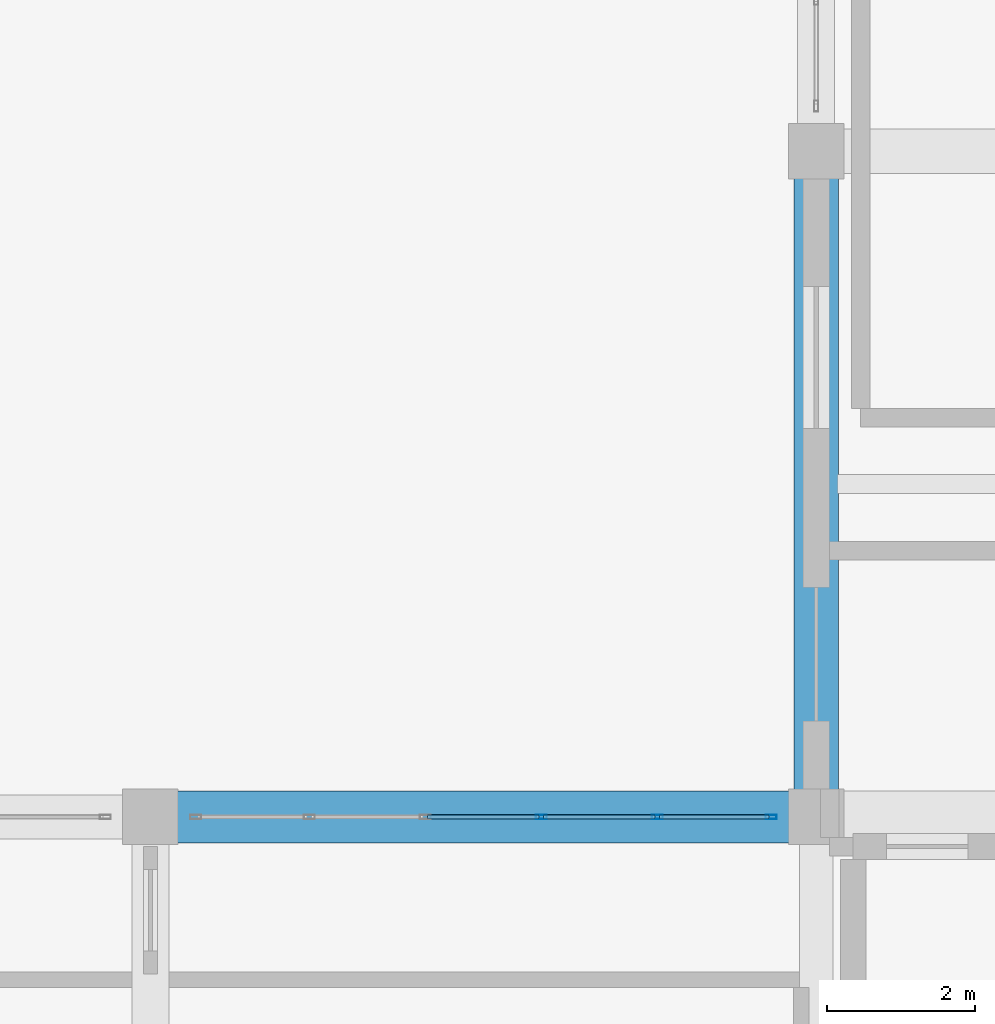
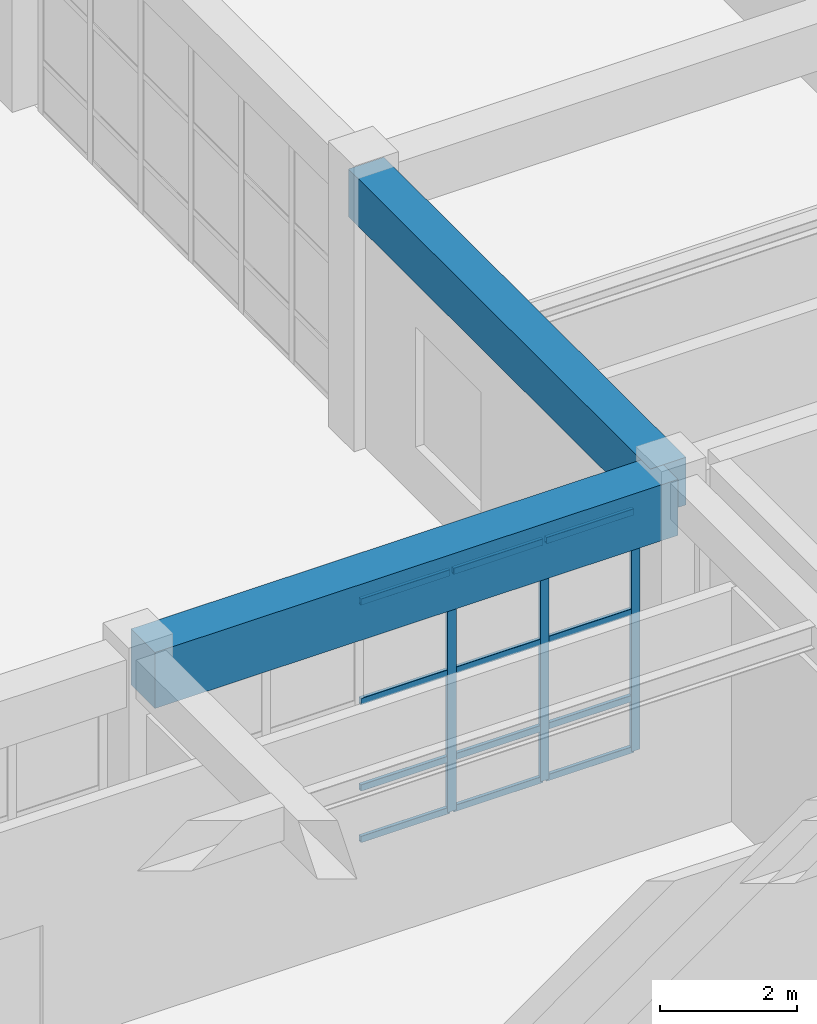
# One storey, part 32 of 128: 15 members, 2 beams, 1 element without a shape of its own.
"""IFC4 building model written with IfcOpenShell, lengths in metres."""

import ifcopenshell
import ifcopenshell.guid

model = None  # the IFC model being written
_history = None  # IfcOwnerHistory: only IFC2X3 demands one
_inside = {}  # id of a spatial element -> (the spatial element, [elements in it])
_under = {}  # id of a project, library or spatial element -> (it, [spatial elements below it])
_declared = {}  # id of a project -> (the project, [libraries it declares])
_typed = {}  # id of a type object -> (the type object, [elements of that type])
_made_of = {}  # id of a material, layer set ... -> (it, [elements and type objects made of it])


def new_model(schema):
    """Start an empty IFC model of exactly this schema.

    Asked for "IFC4X3", IfcOpenShell would pick the latest addendum, in which some entities
    have other attributes; the version numbers below select the first issue.
    IFC2X3 requires an IfcOwnerHistory on every rooted entity: one is made here for all.
    """
    global model, _history
    if schema == "IFC4X3":
        model = ifcopenshell.file(schema_version=(4, 3, 0, 0))
    else:
        model = ifcopenshell.file(schema=schema)
    _inside.clear()
    _under.clear()
    _declared.clear()
    _typed.clear()
    _made_of.clear()
    _history = None
    if model.schema == "IFC2X3":
        org = make("IfcOrganization", Name="unknown")
        user = make(
            "IfcPersonAndOrganization",
            ThePerson=make("IfcPerson", FamilyName="unknown"),
            TheOrganization=org,
        )
        app = make(
            "IfcApplication",
            ApplicationDeveloper=org,
            Version="unknown",
            ApplicationFullName="unknown",
            ApplicationIdentifier="unknown",
        )
        _history = make(
            "IfcOwnerHistory",
            OwningUser=user,
            OwningApplication=app,
            ChangeAction="ADDED",
            CreationDate=0,
        )
    return model


def make(cls, **values):
    """One entity of the class cls with the attributes given. An attribute that is None is left unset."""
    return model.create_entity(
        cls, **{name: value for name, value in values.items() if value is not None}
    )


def rooted(cls, **values):
    """An entity with a GlobalId (a new one), such as an element, a storey or a relation."""
    return make(cls, GlobalId=ifcopenshell.guid.new(), OwnerHistory=_history, **values)


def si_unit(unit_type, name, prefix=None):
    """IfcSIUnit, for example si_unit("LENGTHUNIT", "METRE", prefix="MILLI")."""
    return make("IfcSIUnit", UnitType=unit_type, Prefix=prefix, Name=name)


def assignment(units):
    """IfcUnitAssignment: the units of a project."""
    return None if units is None else make("IfcUnitAssignment", Units=units)


def point(xyz):
    """IfcCartesianPoint."""
    return None if xyz is None else make("IfcCartesianPoint", Coordinates=xyz)


def direction(xyz):
    """IfcDirection."""
    return None if xyz is None else make("IfcDirection", DirectionRatios=xyz)


def frame(location, z_axis=None, x_axis=None):
    """IfcAxis2Placement3D, a coordinate frame: its origin and axes. An axis left out is left unset."""
    return make(
        "IfcAxis2Placement3D",
        Location=point(location),
        Axis=direction(z_axis),
        RefDirection=direction(x_axis),
    )


def frame_2d(location, x_axis=None):
    """IfcAxis2Placement2D, a coordinate frame in the plane: its origin and x axis."""
    return make(
        "IfcAxis2Placement2D", Location=point(location), RefDirection=direction(x_axis)
    )


def origin():
    """The frame at (0, 0, 0) with its axes left unset."""
    return frame((0.0, 0.0, 0.0))


def origin_2d():
    """The frame at (0, 0) in the plane with its x axis left unset."""
    return frame_2d((0.0, 0.0))


def place(relative_to, where):
    """IfcLocalPlacement: puts the frame where relative to a parent placement (None: the world)."""
    return make(
        "IfcLocalPlacement", PlacementRelTo=relative_to, RelativePlacement=where
    )


def context(
    kind, dimensions, precision=None, world=None, true_north=None, identifier=None
):
    """IfcGeometricRepresentationContext, for example the 3D "Model" context."""
    return make(
        "IfcGeometricRepresentationContext",
        ContextIdentifier=identifier,
        ContextType=kind,
        CoordinateSpaceDimension=dimensions,
        Precision=precision,
        WorldCoordinateSystem=world,
        TrueNorth=true_north,
    )


def subcontext(parent, identifier, kind, view, scale=None):
    """IfcGeometricRepresentationSubContext, for example "Body" below "Model"."""
    return make(
        "IfcGeometricRepresentationSubContext",
        ContextIdentifier=identifier,
        ContextType=kind,
        ParentContext=parent,
        TargetScale=scale,
        TargetView=view,
    )


def project(units=None, contexts=None):
    """IfcProject with its units and contexts."""
    return rooted(
        "IfcProject",
        Name="project",
        RepresentationContexts=contexts,
        UnitsInContext=assignment(units),
    )


def spatial(cls, under=None, at=None, **own):
    """A site, building, storey or space (cls), placed at a placement, below another one or the project."""
    s = rooted(cls, ObjectPlacement=at, **own)
    if under is not None:
        _under.setdefault(under.id(), (under, []))[1].append(s)
    return s


def profile(cls, at=None, kind="AREA", **sizes):
    """A parametric profile (cls). Its sizes go by their IFC names, for example OverallWidth=200.0."""
    return make(cls, ProfileType=kind, Position=at, **sizes)


def rectangle(**sizes):
    """IfcRectangleProfileDef."""
    return profile("IfcRectangleProfileDef", **sizes)


def hollow_rectangle(**sizes):
    """IfcRectangleHollowProfileDef."""
    return profile("IfcRectangleHollowProfileDef", **sizes)


def extrude(swept, where, along, depth):
    """IfcExtrudedAreaSolid: the profile swept, set in the frame where, extruded along a direction by depth."""
    return make(
        "IfcExtrudedAreaSolid",
        SweptArea=swept,
        Position=where,
        ExtrudedDirection=direction(along),
        Depth=depth,
    )


def shape(context_of_items, identifier, shape_type, items):
    """IfcShapeRepresentation: the items that make up one representation, for example the "Body"."""
    return make(
        "IfcShapeRepresentation",
        ContextOfItems=context_of_items,
        RepresentationIdentifier=identifier,
        RepresentationType=shape_type,
        Items=items,
    )


def material(Name=None, Category=None):
    """IfcMaterial."""
    return make("IfcMaterial", Name=Name, Category=Category)


def material_profile(
    of_material, cross_section, Name=None, Category=None, Priority=None
):
    """IfcMaterialProfile: a cross section and its material."""
    return make(
        "IfcMaterialProfile",
        Name=Name,
        Material=of_material,
        Profile=cross_section,
        Priority=Priority,
        Category=Category,
    )


def profile_set(profiles, Name=None, composite=None):
    """IfcMaterialProfileSet."""
    return make(
        "IfcMaterialProfileSet",
        Name=Name,
        MaterialProfiles=profiles,
        CompositeProfile=composite,
    )


def made_of(thing, what):
    """Note that an element or type object is made of a material, layer set ...; save() writes the relation."""
    if what is not None:
        _made_of.setdefault(what.id(), (what, []))[1].append(thing)
    return thing


def type_object(cls, material=None, **own):
    """A type object (cls), such as IfcWallType, which elements share."""
    return made_of(rooted(cls, **own), material)


def element(
    cls,
    number,
    at=None,
    inside=None,
    cuts=None,
    type_object=None,
    material=None,
    context=None,
    identifier="Body",
    shape_type=None,
    held_by="IfcProductDefinitionShape",
    body=None,
    shapes=None,
    **own,
):
    """One element of the class cls, such as IfcWall. Its Tag is "e" and its number.

    at: its placement. inside: the storey or other place that contains it. cuts: it is an
    opening in that element (IfcRelVoidsElement). A single representation is given by context,
    identifier, shape_type and body (its items); several are given by shapes. held_by: the class
    of the entity that holds the representations. save() writes the other relations.
    """
    e = rooted(cls, Tag="e%d" % number, ObjectPlacement=at, **own)
    if body is not None:
        shapes = [shape(context, identifier, shape_type, body)]
    if shapes is not None:
        e.Representation = make(held_by, Representations=shapes)
    if inside is not None:
        _inside.setdefault(inside.id(), (inside, []))[1].append(e)
    if cuts is not None:
        rooted(
            "IfcRelVoidsElement", RelatingBuildingElement=cuts, RelatedOpeningElement=e
        )
    if type_object is not None:
        _typed.setdefault(type_object.id(), (type_object, []))[1].append(e)
    return made_of(e, material)


def aggregate(whole, parts):
    """IfcRelAggregates: a whole, such as a stair, and the parts it consists of."""
    return rooted("IfcRelAggregates", RelatingObject=whole, RelatedObjects=parts)


def save(model, path):
    """Write the relations noted so far, then the file.

    IfcRelAggregates (storeys below a building ...), IfcRelContainedInSpatialStructure (elements
    in a storey), IfcRelDefinesByType, IfcRelAssociatesMaterial and IfcRelDeclares: one each for
    every whole, place, type object, material and project.
    """
    for whole, parts in _under.values():
        aggregate(whole, parts)
    for where, things in _inside.values():
        rooted(
            "IfcRelContainedInSpatialStructure",
            RelatedElements=things,
            RelatingStructure=where,
        )
    for kind, things in _typed.values():
        rooted("IfcRelDefinesByType", RelatedObjects=things, RelatingType=kind)
    for what, things in _made_of.values():
        rooted("IfcRelAssociatesMaterial", RelatedObjects=things, RelatingMaterial=what)
    for by, libraries in _declared.values():
        rooted("IfcRelDeclares", RelatingContext=by, RelatedDefinitions=libraries)
    model.write(path)


model = new_model("IFC4")

# Units and contexts
model_context = context("Model", 3, precision=1e-05, world=origin(), true_north=direction((0.0, 1.0)))
body_context = subcontext(model_context, "Body", "Model", "MODEL_VIEW")
ifc_project = project(units=[si_unit("LENGTHUNIT", "METRE"), si_unit("AREAUNIT", "SQUARE_METRE"), si_unit("VOLUMEUNIT", "CUBIC_METRE"), si_unit("PLANEANGLEUNIT", "RADIAN"), si_unit("MASSUNIT", "GRAM", prefix="KILO")], contexts=[model_context])

# Site, building, storey
site_placement = place(None, origin())
site = spatial("IfcSite", under=ifc_project, at=site_placement, CompositionType="ELEMENT")
building_placement = place(site_placement, origin())
building = spatial("IfcBuilding", under=site, at=building_placement, Name="Miravela Opera House", CompositionType="ELEMENT")
storey_placement = place(building_placement, origin())
storey = spatial("IfcBuildingStorey", under=building, at=storey_placement, Name="L00", CompositionType="ELEMENT", Elevation=0.0)

# Curtain wall, members
ifc_material_1 = material(Name="Anodised architectural bronze aluminium 6063-T6", Category="aluminium")
curtain_wall_type = type_object("IfcCurtainWallType", Name="ARC-CW-06", PredefinedType="NOTDEFINED", material=ifc_material_1)
curtain_wall_placement = place(storey_placement, origin())
curtain_wall = element("IfcCurtainWall", 1, at=curtain_wall_placement, inside=storey, type_object=curtain_wall_type, Name="Courtyard Arcade Curtain Wall CW-L00-120", PredefinedType="NOTDEFINED")
ifc_material_profile_1 = material_profile(ifc_material_1, hollow_rectangle(XDim=0.06005859375, YDim=0.14990234375, WallThickness=0.00390625, InnerFilletRadius=0.001953125, OuterFilletRadius=0.00390625, at=origin_2d()), Name="CWM-60X150")
ifc_profile_set_1 = profile_set([ifc_material_profile_1])
member_type_1 = type_object("IfcMemberType", Name="ARC-CWM-150", PredefinedType="MULLION", material=ifc_profile_set_1)
member_1_placement = place(storey_placement, frame((59.283935546875, 9.0, 0.0), z_axis=(0.0, 0.0, 1.0), x_axis=(0.0, 1.0, 0.0)))
member_1 = element("IfcMember", 2, at=member_1_placement, type_object=member_type_1, Name="CW-06 mullion 4", PredefinedType="MULLION", context=body_context, shape_type="SweptSolid", body=[
    extrude(hollow_rectangle(XDim=0.06005859375, YDim=0.14990234375, WallThickness=0.00390625, InnerFilletRadius=0.001953125, OuterFilletRadius=0.00390625, at=origin_2d()), origin(), (0.0, 0.0, 1.0), 4.300048828125),
])
member_2_placement = place(storey_placement, frame((60.85205078125, 9.0, 0.0), z_axis=(0.0, 0.0, 1.0), x_axis=(0.0, 1.0, 0.0)))
member_2 = element("IfcMember", 3, at=member_2_placement, type_object=member_type_1, Name="CW-06 mullion 5", PredefinedType="MULLION", context=body_context, shape_type="SweptSolid", body=[
    extrude(hollow_rectangle(XDim=0.06005859375, YDim=0.14990234375, WallThickness=0.00390625, InnerFilletRadius=0.001953125, OuterFilletRadius=0.00390625, at=origin_2d()), origin(), (0.0, 0.0, 1.0), 4.300048828125),
])
member_3_placement = place(storey_placement, frame((62.389892578125, 9.0, 0.0), z_axis=(0.0, 0.0, 1.0), x_axis=(0.0, 1.0, 0.0)))
member_3 = element("IfcMember", 4, at=member_3_placement, type_object=member_type_1, Name="CW-06 mullion 6", PredefinedType="MULLION", context=body_context, shape_type="SweptSolid", body=[
    extrude(hollow_rectangle(XDim=0.06005859375, YDim=0.14990234375, WallThickness=0.00390625, InnerFilletRadius=0.001953125, OuterFilletRadius=0.00390625, at=origin_2d()), origin(), (0.0, 0.0, 1.0), 4.300048828125),
])
ifc_material_profile_2 = material_profile(ifc_material_1, hollow_rectangle(XDim=0.06005859375, YDim=0.114990234375, WallThickness=0.00390625, InnerFilletRadius=0.001953125, OuterFilletRadius=0.00390625, at=origin_2d()), Name="CWT-60X115")
ifc_profile_set_2 = profile_set([ifc_material_profile_2])
member_type_2 = type_object("IfcMemberType", Name="ARC-CWT-115", PredefinedType="USERDEFINED", material=ifc_profile_set_2)
member_4_placement = place(storey_placement, frame((57.74609375, 9.0, 0.030029296875), z_axis=(1.0, 0.0, 0.0), x_axis=(0.0, 1.0, 0.0)))
member_4 = element("IfcMember", 5, at=member_4_placement, type_object=member_type_2, Name="CW-06 transom 3.1", ObjectType="TRANSOM", PredefinedType="USERDEFINED", context=body_context, shape_type="SweptSolid", body=[
    extrude(hollow_rectangle(XDim=0.06005859375, YDim=0.114990234375, WallThickness=0.00390625, InnerFilletRadius=0.001953125, OuterFilletRadius=0.00390625, at=origin_2d()), origin(), (0.0, 0.0, 1.0), 1.5078125),
])
member_5_placement = place(storey_placement, frame((57.74609375, 9.0, 0.949951171875), z_axis=(1.0, 0.0, 0.0), x_axis=(0.0, 1.0, 0.0)))
member_5 = element("IfcMember", 6, at=member_5_placement, type_object=member_type_2, Name="CW-06 transom 3.2", ObjectType="TRANSOM", PredefinedType="USERDEFINED", context=body_context, shape_type="SweptSolid", body=[
    extrude(hollow_rectangle(XDim=0.06005859375, YDim=0.114990234375, WallThickness=0.00390625, InnerFilletRadius=0.001953125, OuterFilletRadius=0.00390625, at=origin_2d()), origin(), (0.0, 0.0, 1.0), 1.5078125),
])
member_6_placement = place(storey_placement, frame((57.74609375, 9.0, 2.493896484375), z_axis=(1.0, 0.0, 0.0), x_axis=(0.0, 1.0, 0.0)))
member_6 = element("IfcMember", 7, at=member_6_placement, type_object=member_type_2, Name="CW-06 transom 3.3", ObjectType="TRANSOM", PredefinedType="USERDEFINED", context=body_context, shape_type="SweptSolid", body=[
    extrude(hollow_rectangle(XDim=0.06005859375, YDim=0.114990234375, WallThickness=0.00390625, InnerFilletRadius=0.001953125, OuterFilletRadius=0.00390625, at=origin_2d()), origin(), (0.0, 0.0, 1.0), 1.5078125),
])
member_7_placement = place(storey_placement, frame((57.74609375, 9.0, 4.27001953125), z_axis=(1.0, 0.0, 0.0), x_axis=(0.0, 1.0, 0.0)))
member_7 = element("IfcMember", 8, at=member_7_placement, type_object=member_type_2, Name="CW-06 transom 3.4", ObjectType="TRANSOM", PredefinedType="USERDEFINED", context=body_context, shape_type="SweptSolid", body=[
    extrude(hollow_rectangle(XDim=0.06005859375, YDim=0.114990234375, WallThickness=0.00390625, InnerFilletRadius=0.001953125, OuterFilletRadius=0.00390625, at=origin_2d()), origin(), (0.0, 0.0, 1.0), 1.5078125),
])
member_8_placement = place(storey_placement, frame((59.31396484375, 9.0, 0.030029296875), z_axis=(1.0, 0.0, 0.0), x_axis=(0.0, 1.0, 0.0)))
member_8 = element("IfcMember", 9, at=member_8_placement, type_object=member_type_2, Name="CW-06 transom 4.1", ObjectType="TRANSOM", PredefinedType="USERDEFINED", context=body_context, shape_type="SweptSolid", body=[
    extrude(hollow_rectangle(XDim=0.06005859375, YDim=0.114990234375, WallThickness=0.00390625, InnerFilletRadius=0.001953125, OuterFilletRadius=0.00390625, at=origin_2d()), origin(), (0.0, 0.0, 1.0), 1.508056640625),
])
member_9_placement = place(storey_placement, frame((59.31396484375, 9.0, 0.949951171875), z_axis=(1.0, 0.0, 0.0), x_axis=(0.0, 1.0, 0.0)))
member_9 = element("IfcMember", 10, at=member_9_placement, type_object=member_type_2, Name="CW-06 transom 4.2", ObjectType="TRANSOM", PredefinedType="USERDEFINED", context=body_context, shape_type="SweptSolid", body=[
    extrude(hollow_rectangle(XDim=0.06005859375, YDim=0.114990234375, WallThickness=0.00390625, InnerFilletRadius=0.001953125, OuterFilletRadius=0.00390625, at=origin_2d()), origin(), (0.0, 0.0, 1.0), 1.508056640625),
])
member_10_placement = place(storey_placement, frame((59.31396484375, 9.0, 2.493896484375), z_axis=(1.0, 0.0, 0.0), x_axis=(0.0, 1.0, 0.0)))
member_10 = element("IfcMember", 11, at=member_10_placement, type_object=member_type_2, Name="CW-06 transom 4.3", ObjectType="TRANSOM", PredefinedType="USERDEFINED", context=body_context, shape_type="SweptSolid", body=[
    extrude(hollow_rectangle(XDim=0.06005859375, YDim=0.114990234375, WallThickness=0.00390625, InnerFilletRadius=0.001953125, OuterFilletRadius=0.00390625, at=origin_2d()), origin(), (0.0, 0.0, 1.0), 1.508056640625),
])
member_11_placement = place(storey_placement, frame((59.31396484375, 9.0, 4.27001953125), z_axis=(1.0, 0.0, 0.0), x_axis=(0.0, 1.0, 0.0)))
member_11 = element("IfcMember", 12, at=member_11_placement, type_object=member_type_2, Name="CW-06 transom 4.4", ObjectType="TRANSOM", PredefinedType="USERDEFINED", context=body_context, shape_type="SweptSolid", body=[
    extrude(hollow_rectangle(XDim=0.06005859375, YDim=0.114990234375, WallThickness=0.00390625, InnerFilletRadius=0.001953125, OuterFilletRadius=0.00390625, at=origin_2d()), origin(), (0.0, 0.0, 1.0), 1.508056640625),
])
member_12_placement = place(storey_placement, frame((60.882080078125, 9.0, 0.030029296875), z_axis=(1.0, 0.0, 0.0), x_axis=(0.0, 1.0, 0.0)))
member_12 = element("IfcMember", 13, at=member_12_placement, type_object=member_type_2, Name="CW-06 transom 5.1", ObjectType="TRANSOM", PredefinedType="USERDEFINED", context=body_context, shape_type="SweptSolid", body=[
    extrude(hollow_rectangle(XDim=0.06005859375, YDim=0.114990234375, WallThickness=0.00390625, InnerFilletRadius=0.001953125, OuterFilletRadius=0.00390625, at=origin_2d()), origin(), (0.0, 0.0, 1.0), 1.47802734375),
])
member_13_placement = place(storey_placement, frame((60.882080078125, 9.0, 0.949951171875), z_axis=(1.0, 0.0, 0.0), x_axis=(0.0, 1.0, 0.0)))
member_13 = element("IfcMember", 14, at=member_13_placement, type_object=member_type_2, Name="CW-06 transom 5.2", ObjectType="TRANSOM", PredefinedType="USERDEFINED", context=body_context, shape_type="SweptSolid", body=[
    extrude(hollow_rectangle(XDim=0.06005859375, YDim=0.114990234375, WallThickness=0.00390625, InnerFilletRadius=0.001953125, OuterFilletRadius=0.00390625, at=origin_2d()), origin(), (0.0, 0.0, 1.0), 1.47802734375),
])
member_14_placement = place(storey_placement, frame((60.882080078125, 9.0, 2.493896484375), z_axis=(1.0, 0.0, 0.0), x_axis=(0.0, 1.0, 0.0)))
member_14 = element("IfcMember", 15, at=member_14_placement, type_object=member_type_2, Name="CW-06 transom 5.3", ObjectType="TRANSOM", PredefinedType="USERDEFINED", context=body_context, shape_type="SweptSolid", body=[
    extrude(hollow_rectangle(XDim=0.06005859375, YDim=0.114990234375, WallThickness=0.00390625, InnerFilletRadius=0.001953125, OuterFilletRadius=0.00390625, at=origin_2d()), origin(), (0.0, 0.0, 1.0), 1.47802734375),
])
member_15_placement = place(storey_placement, frame((60.882080078125, 9.0, 4.27001953125), z_axis=(1.0, 0.0, 0.0), x_axis=(0.0, 1.0, 0.0)))
member_15 = element("IfcMember", 16, at=member_15_placement, type_object=member_type_2, Name="CW-06 transom 5.4", ObjectType="TRANSOM", PredefinedType="USERDEFINED", context=body_context, shape_type="SweptSolid", body=[
    extrude(hollow_rectangle(XDim=0.06005859375, YDim=0.114990234375, WallThickness=0.00390625, InnerFilletRadius=0.001953125, OuterFilletRadius=0.00390625, at=origin_2d()), origin(), (0.0, 0.0, 1.0), 1.47802734375),
])
aggregate(curtain_wall, [member_1, member_2, member_3, member_4, member_5, member_6, member_7, member_8, member_9, member_10, member_11, member_12, member_13, member_14, member_15])

# Beams
ifc_material_2 = material(Name="Concrete C40/50", Category="concrete")
ifc_material_profile_3 = material_profile(ifc_material_2, rectangle(XDim=0.60009765625, YDim=0.85009765625, at=origin_2d()), Name="RC-BM-600X850")
ifc_profile_set_3 = profile_set([ifc_material_profile_3])
beam_type_1 = type_object("IfcBeamType", Name="STR-BM-RC600X850", PredefinedType="BEAM", material=ifc_profile_set_3)
beam_1_placement = place(storey_placement, frame((63.0, 9.080078125, 4.425048828125), z_axis=(0.0, 1.0, 0.0), x_axis=(-1.0, 0.0, 0.0)))
element("IfcBeam", 17, at=beam_1_placement, inside=storey, type_object=beam_type_1, Name="Floor Girder L00 8/B-C", PredefinedType="BEAM", context=body_context, shape_type="SweptSolid", body=[
    extrude(rectangle(XDim=0.60009765625, YDim=0.85009765625, at=origin_2d()), origin(), (0.0, 0.0, 1.0), 8.83984375),
])
ifc_material_profile_4 = material_profile(ifc_material_2, rectangle(XDim=0.699951171875, YDim=1.0, at=origin_2d()), Name="RC-BM-700X1000")
ifc_profile_set_4 = profile_set([ifc_material_profile_4])
beam_type_2 = type_object("IfcBeamType", Name="STR-BM-RC700X1000", PredefinedType="BEAM", material=ifc_profile_set_4)
beam_2_placement = place(storey_placement, frame((54.080078125, 9.0, 4.35009765625), z_axis=(1.0, 0.0, 0.0), x_axis=(0.0, 1.0, 0.0)))
element("IfcBeam", 18, at=beam_2_placement, inside=storey, type_object=beam_type_2, Name="Floor Girder L00 7-8/B", PredefinedType="BEAM", context=body_context, shape_type="SweptSolid", body=[
    extrude(rectangle(XDim=0.699951171875, YDim=1.0, at=origin_2d()), origin(), (0.0, 0.0, 1.0), 8.83984375),
])

save(model, "model.ifc")
